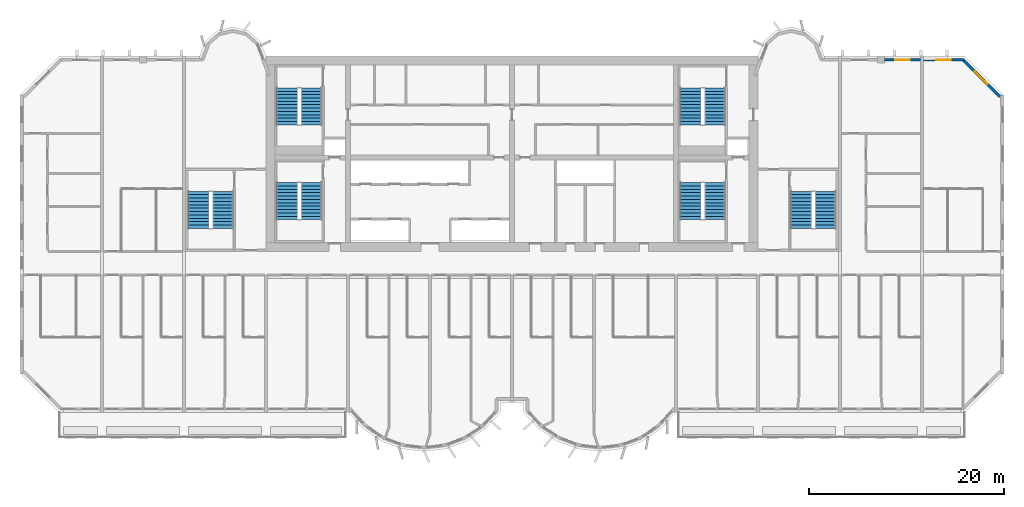
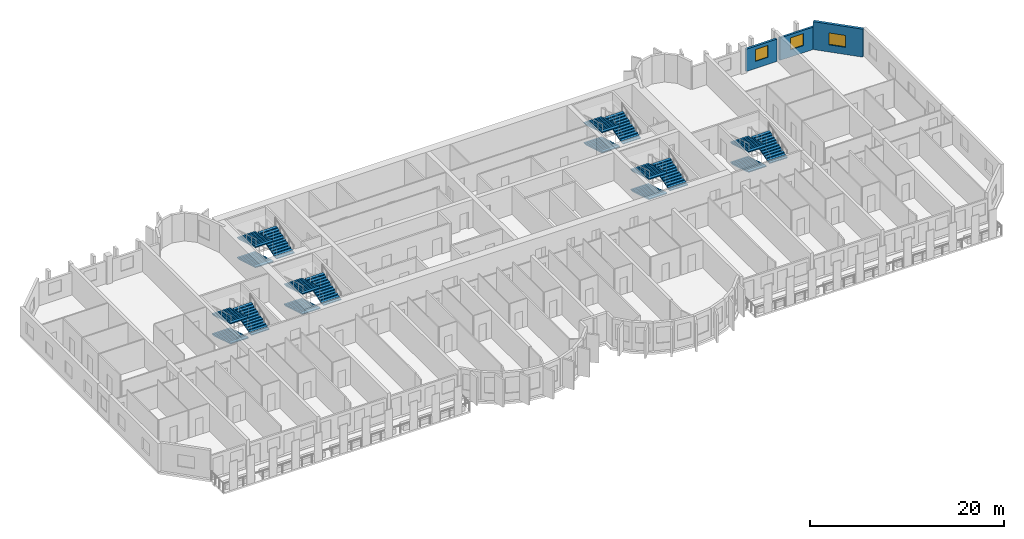
# One storey, part 11 of 14: 18 stair flights, 3 walls, 3 windows, 3 openings, 6 elements without a shape of their own.
"""IFC4 building model written with IfcOpenShell, lengths in metres."""

from ifc_helpers import new_model, si_unit, direction, frame, frame_2d, origin, place, context, subcontext, project, spatial, polyline, rectangle, outline, extrude, source, transform, mapped, material, layer, layer_set, type_object, element, fill, aggregate, save


model = new_model("IFC4")

# Units and contexts
model_context = context("Model", 3, precision=1e-05, world=origin(), true_north=direction((0.0, 1.0)))
body_context = subcontext(model_context, "Body", "Model", "MODEL_VIEW")
ifc_project = project(units=[si_unit("LENGTHUNIT", "METRE"), si_unit("AREAUNIT", "SQUARE_METRE"), si_unit("VOLUMEUNIT", "CUBIC_METRE"), si_unit("PLANEANGLEUNIT", "RADIAN"), si_unit("MASSUNIT", "GRAM", prefix="KILO")], contexts=[model_context])

# Site, building, storey
site_placement = place(None, origin())
site = spatial("IfcSite", under=ifc_project, at=site_placement, CompositionType="ELEMENT")
building_placement = place(site_placement, origin())
building = spatial("IfcBuilding", under=site, at=building_placement, Name="Vanashikhar Sky Hotel", CompositionType="ELEMENT")
storey_placement = place(building_placement, frame((0.0, 0.0, 125.60009765625)))
storey = spatial("IfcBuildingStorey", under=building, at=storey_placement, Name="L30", CompositionType="ELEMENT", Elevation=125.60009765625)

# Wall, opening, window
ifc_material_1 = material(Name="Concrete M50", Category="concrete")
ifc_layer_1 = layer(ifc_material_1, 0.300048828125)
ifc_layer_set_1 = layer_set([ifc_layer_1], Name="Lobe wall 300")
wall_type_1 = type_object("IfcWallType", Name="Lobe wall 300", PredefinedType="SOLIDWALL", material=ifc_layer_set_1)
shared_shape_1 = source(origin(), body_context, "Body", "SweptSolid", [
    extrude(rectangle(XDim=5.32568359375, YDim=0.300048828125, at=frame_2d((2.662841796875, 0.0))), origin(), (0.0, 0.0, 1.0), 3.52001953125),
])
wall_1_placement = place(storey_placement, frame((100.39990234375, 37.834228515625, 0.0), z_axis=(0.0, 0.0, 1.0), x_axis=(-0.707083859269, 0.707129702361, 0.0)))
wall_1 = element("IfcWall", 1, at=wall_1_placement, inside=storey, type_object=wall_type_1, Name="Corner wall", PredefinedType="SOLIDWALL", context=body_context, shape_type="MappedRepresentation", body=[
    mapped(shared_shape_1, transform((0.0, 0.0, 0.0), scale=1.0)),
])
shared_shape_2 = source(origin(), body_context, "Body", "SweptSolid", [
    extrude(rectangle(XDim=1.800048828125, YDim=1.5, at=frame_2d((0.89990234375, 0.75))), frame((0.0, 0.16015625, 0.0), z_axis=(0.0, -1.0, 0.0), x_axis=(1.0, 0.0, 0.0)), (0.0, 0.0, 1.0), 0.320068359375),
])
opening_1_placement = place(wall_1_placement, frame((1.853759765625, 0.0, 0.89990234375)))
opening_1 = element("IfcOpeningElement", 2, at=opening_1_placement, cuts=wall_1, Name="Opening WN-4", PredefinedType="OPENING", context=body_context, shape_type="MappedRepresentation", body=[
    mapped(shared_shape_2, transform((0.0, 0.0, 0.0), scale=1.0)),
])
ifc_material_2 = material(Name="Glass", Category="glass")
window_type_1 = type_object("IfcWindowType", Name="Corner window 1800 x 1500", PartitioningType="SINGLE_PANEL", PredefinedType="WINDOW", material=ifc_material_2)
shared_shape_3 = source(origin(), body_context, "Body", "SweptSolid", [
    extrude(rectangle(XDim=1.800048828125, YDim=1.5, at=frame_2d((0.89990234375, 0.75))), frame((0.0, 0.030029296875, 0.0), z_axis=(0.0, -1.0, 0.0), x_axis=(1.0, 0.0, 0.0)), (0.0, 0.0, 1.0), 0.06005859375),
])
window_1_placement = place(opening_1_placement, origin())
window_1 = element("IfcWindow", 3, at=window_1_placement, inside=storey, type_object=window_type_1, Name="Window WN-4", OverallHeight=1.5, OverallWidth=1.800048828125, PartitioningType="SINGLE_PANEL", PredefinedType="WINDOW", context=body_context, shape_type="MappedRepresentation", body=[
    mapped(shared_shape_3, transform((0.0, 0.0, 0.0), scale=1.0)),
])
fill(opening_1, window_1)

ifc_layer_2 = layer(ifc_material_1, 0.25)
ifc_layer_set_2 = layer_set([ifc_layer_2], Name="Rear and end board-marked wall 250")
wall_type_2 = type_object("IfcWallType", Name="Rear and end board-marked wall 250", PredefinedType="SOLIDWALL", material=ifc_layer_set_2)
shared_shape_4 = source(origin(), body_context, "Body", "SweptSolid", [
    extrude(rectangle(XDim=4.06982421875, YDim=0.25, at=frame_2d((2.034912109375, 0.0))), origin(), (0.0, 0.0, 1.0), 2.81982421875),
])
wall_2_placement = place(storey_placement, frame((96.644775390625, 41.625, 0.0), z_axis=(0.0, 0.0, 1.0), x_axis=(-1.0, 0.0, 0.0)))
wall_2 = element("IfcWall", 4, at=wall_2_placement, inside=storey, type_object=wall_type_2, Name="Rear board-marked wall", PredefinedType="SOLIDWALL", context=body_context, shape_type="MappedRepresentation", body=[
    mapped(shared_shape_4, transform((0.0, 0.0, 0.0), scale=1.0)),
])
shared_shape_5 = source(origin(), body_context, "Body", "SweptSolid", [
    extrude(rectangle(XDim=1.5, YDim=1.5, at=frame_2d((0.75, 0.75))), frame((0.0, 0.135009765625, 0.0), z_axis=(0.0, -1.0, 0.0), x_axis=(1.0, 0.0, 0.0)), (0.0, 0.0, 1.0), 0.27001953125),
])
opening_2_placement = place(wall_2_placement, frame((1.284912109375, 0.0, 0.89990234375)))
opening_2 = element("IfcOpeningElement", 5, at=opening_2_placement, cuts=wall_2, Name="Opening WN-1", PredefinedType="OPENING", context=body_context, shape_type="MappedRepresentation", body=[
    mapped(shared_shape_5, transform((0.0, 0.0, 0.0), scale=1.0)),
])
window_type_2 = type_object("IfcWindowType", Name="Window 1500 x 1500", PartitioningType="SINGLE_PANEL", PredefinedType="WINDOW", material=ifc_material_2)
shared_shape_6 = source(origin(), body_context, "Body", "SweptSolid", [
    extrude(rectangle(XDim=1.5, YDim=1.5, at=frame_2d((0.75, 0.75))), frame((0.0, 0.030029296875, 0.0), z_axis=(0.0, -1.0, 0.0), x_axis=(1.0, 0.0, 0.0)), (0.0, 0.0, 1.0), 0.06005859375),
])
window_2_placement = place(opening_2_placement, origin())
window_2 = element("IfcWindow", 6, at=window_2_placement, inside=storey, type_object=window_type_2, Name="Window WN-1", OverallHeight=1.5, OverallWidth=1.5, PartitioningType="SINGLE_PANEL", PredefinedType="WINDOW", context=body_context, shape_type="MappedRepresentation", body=[
    mapped(shared_shape_6, transform((0.0, 0.0, 0.0), scale=1.0)),
])
fill(opening_2, window_2)

shared_shape_7 = source(origin(), body_context, "Body", "SweptSolid", [
    extrude(rectangle(XDim=3.675048828125, YDim=0.25, at=frame_2d((1.83740234375, 0.0))), origin(), (0.0, 0.0, 1.0), 2.81982421875),
])
wall_3_placement = place(storey_placement, frame((92.22509765625, 41.625, 0.0), z_axis=(0.0, 0.0, 1.0), x_axis=(-1.0, 0.0, 0.0)))
wall_3 = element("IfcWall", 7, at=wall_3_placement, inside=storey, type_object=wall_type_2, Name="Rear board-marked wall", PredefinedType="SOLIDWALL", context=body_context, shape_type="MappedRepresentation", body=[
    mapped(shared_shape_7, transform((0.0, 0.0, 0.0), scale=1.0)),
])
opening_3_placement = place(wall_3_placement, frame((1.08740234375, 0.0, 0.89990234375)))
opening_3 = element("IfcOpeningElement", 8, at=opening_3_placement, cuts=wall_3, Name="Opening WN-1", PredefinedType="OPENING", context=body_context, shape_type="MappedRepresentation", body=[
    mapped(shared_shape_5, transform((0.0, 0.0, 0.0), scale=1.0)),
])
window_3_placement = place(opening_3_placement, origin())
window_3 = element("IfcWindow", 9, at=window_3_placement, inside=storey, type_object=window_type_2, Name="Window WN-1", OverallHeight=1.5, OverallWidth=1.5, PartitioningType="SINGLE_PANEL", PredefinedType="WINDOW", context=body_context, shape_type="MappedRepresentation", body=[
    mapped(shared_shape_6, transform((0.0, 0.0, 0.0), scale=1.0)),
])
fill(opening_3, window_3)

# Stair, stair flights
ifc_material_3 = material(Name="Concrete M40", Category="concrete")
stair_type = type_object("IfcStairType", Name="Exit stair 2150", PredefinedType="DOUBLE_RETURN_STAIR", material=ifc_material_3)
stair_1_placement = place(storey_placement, origin())
stair_1 = element("IfcStair", 10, at=stair_1_placement, inside=storey, type_object=stair_type, Name="L30 Exit stair 1", PredefinedType="DOUBLE_RETURN_STAIR")
stair_flight_type = type_object("IfcStairFlightType", Name="Stair flight 2150", PredefinedType="STRAIGHT", material=ifc_material_3)
shared_shape_8 = source(origin(), body_context, "Body", "SweptSolid", [
    extrude(outline(polyline([(0.0, 0.0), (0.0, 0.10546875), (0.345458984375, 0.10546875), (0.345458984375, 0.211181640625), (0.69091796875, 0.211181640625), (0.69091796875, 0.316650390625), (1.036376953125, 0.316650390625), (1.036376953125, 0.422119140625), (1.3818359375, 0.422119140625), (1.3818359375, 0.52783203125), (1.727294921875, 0.52783203125), (1.727294921875, 0.63330078125), (2.07275390625, 0.63330078125), (2.07275390625, 0.73876953125), (2.418212890625, 0.73876953125), (2.418212890625, 0.844482421875), (2.763671875, 0.844482421875), (2.763671875, 0.949951171875), (3.109130859375, 0.949951171875), (3.109130859375, 1.0556640625), (3.45458984375, 1.0556640625), (3.45458984375, 1.1611328125), (3.800048828125, 1.1611328125), (3.800048828125, 1.2666015625), (3.800048828125, 1.035400390625), (0.4111328125, 0.0), (0.0, 0.0)])), frame((0.0, 1.074951171875, 0.0), z_axis=(0.0, -1.0, 0.0), x_axis=(1.0, 0.0, 0.0)), (0.0, 0.0, 1.0), 2.14990234375),
])
stair_flight_1_placement = place(storey_placement, frame((27.375, 29.050048828125, 0.0), z_axis=(0.0, 0.0, 1.0), x_axis=(0.0, -1.0, 0.0)))
stair_flight_1 = element("IfcStairFlight", 11, at=stair_flight_1_placement, type_object=stair_flight_type, Name="ST-C1 flight 1", NumberOfRisers=12, NumberOfTreads=11, PredefinedType="STRAIGHT", RiserHeight=0.105555556, TreadLength=0.345454545, context=body_context, shape_type="MappedRepresentation", body=[
    mapped(shared_shape_8, transform((0.0, 0.0, 0.0), scale=1.0)),
])
stair_flight_2_placement = place(storey_placement, frame((29.875, 25.25, 1.2666015625), z_axis=(0.0, 0.0, 1.0), x_axis=(0.0, 1.0, 0.0)))
stair_flight_2 = element("IfcStairFlight", 12, at=stair_flight_2_placement, type_object=stair_flight_type, Name="ST-C1 flight 2", NumberOfRisers=12, NumberOfTreads=11, PredefinedType="STRAIGHT", RiserHeight=0.105555556, TreadLength=0.345454545, context=body_context, shape_type="MappedRepresentation", body=[
    mapped(shared_shape_8, transform((0.0, 0.0, 0.0), scale=1.0)),
])
stair_flight_3_placement = place(storey_placement, frame((27.375, 29.050048828125, 2.533203125), z_axis=(0.0, 0.0, 1.0), x_axis=(0.0, -1.0, 0.0)))
stair_flight_3 = element("IfcStairFlight", 13, at=stair_flight_3_placement, type_object=stair_flight_type, Name="ST-C1 flight 3", NumberOfRisers=12, NumberOfTreads=11, PredefinedType="STRAIGHT", RiserHeight=0.105555556, TreadLength=0.345454545, context=body_context, shape_type="MappedRepresentation", body=[
    mapped(shared_shape_8, transform((0.0, 0.0, 0.0), scale=1.0)),
])
aggregate(stair_1, [stair_flight_1, stair_flight_2, stair_flight_3])

stair_2_placement = place(storey_placement, origin())
stair_2 = element("IfcStair", 14, at=stair_2_placement, inside=storey, type_object=stair_type, Name="L30 Exit stair 2", PredefinedType="DOUBLE_RETURN_STAIR")
stair_flight_4_placement = place(storey_placement, frame((68.675048828125, 29.050048828125, 0.0), z_axis=(0.0, 0.0, 1.0), x_axis=(0.0, -1.0, 0.0)))
stair_flight_4 = element("IfcStairFlight", 15, at=stair_flight_4_placement, type_object=stair_flight_type, Name="ST-C2 flight 1", NumberOfRisers=12, NumberOfTreads=11, PredefinedType="STRAIGHT", RiserHeight=0.105555556, TreadLength=0.345454545, context=body_context, shape_type="MappedRepresentation", body=[
    mapped(shared_shape_8, transform((0.0, 0.0, 0.0), scale=1.0)),
])
stair_flight_5_placement = place(storey_placement, frame((71.175048828125, 25.25, 1.2666015625), z_axis=(0.0, 0.0, 1.0), x_axis=(0.0, 1.0, 0.0)))
stair_flight_5 = element("IfcStairFlight", 16, at=stair_flight_5_placement, type_object=stair_flight_type, Name="ST-C2 flight 2", NumberOfRisers=12, NumberOfTreads=11, PredefinedType="STRAIGHT", RiserHeight=0.105555556, TreadLength=0.345454545, context=body_context, shape_type="MappedRepresentation", body=[
    mapped(shared_shape_8, transform((0.0, 0.0, 0.0), scale=1.0)),
])
stair_flight_6_placement = place(storey_placement, frame((68.675048828125, 29.050048828125, 2.533203125), z_axis=(0.0, 0.0, 1.0), x_axis=(0.0, -1.0, 0.0)))
stair_flight_6 = element("IfcStairFlight", 17, at=stair_flight_6_placement, type_object=stair_flight_type, Name="ST-C2 flight 3", NumberOfRisers=12, NumberOfTreads=11, PredefinedType="STRAIGHT", RiserHeight=0.105555556, TreadLength=0.345454545, context=body_context, shape_type="MappedRepresentation", body=[
    mapped(shared_shape_8, transform((0.0, 0.0, 0.0), scale=1.0)),
])
aggregate(stair_2, [stair_flight_4, stair_flight_5, stair_flight_6])

stair_3_placement = place(storey_placement, origin())
stair_3 = element("IfcStair", 18, at=stair_3_placement, inside=storey, type_object=stair_type, Name="L30 Exit stair 3", PredefinedType="DOUBLE_RETURN_STAIR")
stair_flight_7_placement = place(storey_placement, frame((18.27490234375, 28.14990234375, 0.0), z_axis=(0.0, 0.0, 1.0), x_axis=(0.0, -1.0, 0.0)))
stair_flight_7 = element("IfcStairFlight", 19, at=stair_flight_7_placement, type_object=stair_flight_type, Name="ST-W flight 1", NumberOfRisers=12, NumberOfTreads=11, PredefinedType="STRAIGHT", RiserHeight=0.105555556, TreadLength=0.345454545, context=body_context, shape_type="MappedRepresentation", body=[
    mapped(shared_shape_8, transform((0.0, 0.0, 0.0), scale=1.0)),
])
stair_flight_8_placement = place(storey_placement, frame((20.77490234375, 24.35009765625, 1.2666015625), z_axis=(0.0, 0.0, 1.0), x_axis=(0.0, 1.0, 0.0)))
stair_flight_8 = element("IfcStairFlight", 20, at=stair_flight_8_placement, type_object=stair_flight_type, Name="ST-W flight 2", NumberOfRisers=12, NumberOfTreads=11, PredefinedType="STRAIGHT", RiserHeight=0.105555556, TreadLength=0.345454545, context=body_context, shape_type="MappedRepresentation", body=[
    mapped(shared_shape_8, transform((0.0, 0.0, 0.0), scale=1.0)),
])
stair_flight_9_placement = place(storey_placement, frame((18.27490234375, 28.14990234375, 2.533203125), z_axis=(0.0, 0.0, 1.0), x_axis=(0.0, -1.0, 0.0)))
stair_flight_9 = element("IfcStairFlight", 21, at=stair_flight_9_placement, type_object=stair_flight_type, Name="ST-W flight 3", NumberOfRisers=12, NumberOfTreads=11, PredefinedType="STRAIGHT", RiserHeight=0.105555556, TreadLength=0.345454545, context=body_context, shape_type="MappedRepresentation", body=[
    mapped(shared_shape_8, transform((0.0, 0.0, 0.0), scale=1.0)),
])
aggregate(stair_3, [stair_flight_7, stair_flight_8, stair_flight_9])

stair_4_placement = place(storey_placement, origin())
stair_4 = element("IfcStair", 22, at=stair_4_placement, inside=storey, type_object=stair_type, Name="L30 Exit stair 4", PredefinedType="DOUBLE_RETURN_STAIR")
stair_flight_10_placement = place(storey_placement, frame((80.02490234375, 28.14990234375, 0.0), z_axis=(0.0, 0.0, 1.0), x_axis=(0.0, -1.0, 0.0)))
stair_flight_10 = element("IfcStairFlight", 23, at=stair_flight_10_placement, type_object=stair_flight_type, Name="ST-E flight 1", NumberOfRisers=12, NumberOfTreads=11, PredefinedType="STRAIGHT", RiserHeight=0.105555556, TreadLength=0.345454545, context=body_context, shape_type="MappedRepresentation", body=[
    mapped(shared_shape_8, transform((0.0, 0.0, 0.0), scale=1.0)),
])
stair_flight_11_placement = place(storey_placement, frame((82.52490234375, 24.35009765625, 1.2666015625), z_axis=(0.0, 0.0, 1.0), x_axis=(0.0, 1.0, 0.0)))
stair_flight_11 = element("IfcStairFlight", 24, at=stair_flight_11_placement, type_object=stair_flight_type, Name="ST-E flight 2", NumberOfRisers=12, NumberOfTreads=11, PredefinedType="STRAIGHT", RiserHeight=0.105555556, TreadLength=0.345454545, context=body_context, shape_type="MappedRepresentation", body=[
    mapped(shared_shape_8, transform((0.0, 0.0, 0.0), scale=1.0)),
])
stair_flight_12_placement = place(storey_placement, frame((80.02490234375, 28.14990234375, 2.533203125), z_axis=(0.0, 0.0, 1.0), x_axis=(0.0, -1.0, 0.0)))
stair_flight_12 = element("IfcStairFlight", 25, at=stair_flight_12_placement, type_object=stair_flight_type, Name="ST-E flight 3", NumberOfRisers=12, NumberOfTreads=11, PredefinedType="STRAIGHT", RiserHeight=0.105555556, TreadLength=0.345454545, context=body_context, shape_type="MappedRepresentation", body=[
    mapped(shared_shape_8, transform((0.0, 0.0, 0.0), scale=1.0)),
])
aggregate(stair_4, [stair_flight_10, stair_flight_11, stair_flight_12])

stair_5_placement = place(storey_placement, origin())
stair_5 = element("IfcStair", 26, at=stair_5_placement, inside=storey, type_object=stair_type, Name="L30 Exit stair 5", PredefinedType="DOUBLE_RETURN_STAIR")
stair_flight_13_placement = place(storey_placement, frame((27.375, 38.75, 0.0), z_axis=(0.0, 0.0, 1.0), x_axis=(0.0, -1.0, 0.0)))
stair_flight_13 = element("IfcStairFlight", 27, at=stair_flight_13_placement, type_object=stair_flight_type, Name="ST-C3 flight 1", NumberOfRisers=12, NumberOfTreads=11, PredefinedType="STRAIGHT", RiserHeight=0.105555556, TreadLength=0.345454545, context=body_context, shape_type="MappedRepresentation", body=[
    mapped(shared_shape_8, transform((0.0, 0.0, 0.0), scale=1.0)),
])
stair_flight_14_placement = place(storey_placement, frame((29.875, 34.949951171875, 1.2666015625), z_axis=(0.0, 0.0, 1.0), x_axis=(0.0, 1.0, 0.0)))
stair_flight_14 = element("IfcStairFlight", 28, at=stair_flight_14_placement, type_object=stair_flight_type, Name="ST-C3 flight 2", NumberOfRisers=12, NumberOfTreads=11, PredefinedType="STRAIGHT", RiserHeight=0.105555556, TreadLength=0.345454545, context=body_context, shape_type="MappedRepresentation", body=[
    mapped(shared_shape_8, transform((0.0, 0.0, 0.0), scale=1.0)),
])
stair_flight_15_placement = place(storey_placement, frame((27.375, 38.75, 2.533203125), z_axis=(0.0, 0.0, 1.0), x_axis=(0.0, -1.0, 0.0)))
stair_flight_15 = element("IfcStairFlight", 29, at=stair_flight_15_placement, type_object=stair_flight_type, Name="ST-C3 flight 3", NumberOfRisers=12, NumberOfTreads=11, PredefinedType="STRAIGHT", RiserHeight=0.105555556, TreadLength=0.345454545, context=body_context, shape_type="MappedRepresentation", body=[
    mapped(shared_shape_8, transform((0.0, 0.0, 0.0), scale=1.0)),
])
aggregate(stair_5, [stair_flight_13, stair_flight_14, stair_flight_15])

stair_6_placement = place(storey_placement, origin())
stair_6 = element("IfcStair", 30, at=stair_6_placement, inside=storey, type_object=stair_type, Name="L30 Exit stair 6", PredefinedType="DOUBLE_RETURN_STAIR")
stair_flight_16_placement = place(storey_placement, frame((68.675048828125, 38.75, 0.0), z_axis=(0.0, 0.0, 1.0), x_axis=(0.0, -1.0, 0.0)))
stair_flight_16 = element("IfcStairFlight", 31, at=stair_flight_16_placement, type_object=stair_flight_type, Name="ST-C4 flight 1", NumberOfRisers=12, NumberOfTreads=11, PredefinedType="STRAIGHT", RiserHeight=0.105555556, TreadLength=0.345454545, context=body_context, shape_type="MappedRepresentation", body=[
    mapped(shared_shape_8, transform((0.0, 0.0, 0.0), scale=1.0)),
])
stair_flight_17_placement = place(storey_placement, frame((71.175048828125, 34.949951171875, 1.2666015625), z_axis=(0.0, 0.0, 1.0), x_axis=(0.0, 1.0, 0.0)))
stair_flight_17 = element("IfcStairFlight", 32, at=stair_flight_17_placement, type_object=stair_flight_type, Name="ST-C4 flight 2", NumberOfRisers=12, NumberOfTreads=11, PredefinedType="STRAIGHT", RiserHeight=0.105555556, TreadLength=0.345454545, context=body_context, shape_type="MappedRepresentation", body=[
    mapped(shared_shape_8, transform((0.0, 0.0, 0.0), scale=1.0)),
])
stair_flight_18_placement = place(storey_placement, frame((68.675048828125, 38.75, 2.533203125), z_axis=(0.0, 0.0, 1.0), x_axis=(0.0, -1.0, 0.0)))
stair_flight_18 = element("IfcStairFlight", 33, at=stair_flight_18_placement, type_object=stair_flight_type, Name="ST-C4 flight 3", NumberOfRisers=12, NumberOfTreads=11, PredefinedType="STRAIGHT", RiserHeight=0.105555556, TreadLength=0.345454545, context=body_context, shape_type="MappedRepresentation", body=[
    mapped(shared_shape_8, transform((0.0, 0.0, 0.0), scale=1.0)),
])
aggregate(stair_6, [stair_flight_16, stair_flight_17, stair_flight_18])

save(model, "model.ifc")
